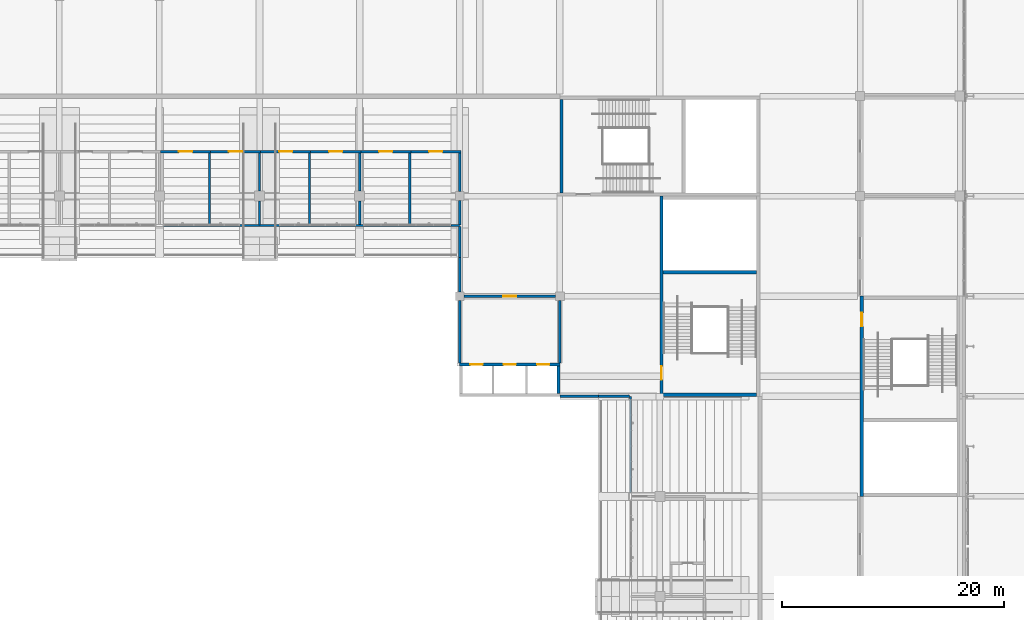
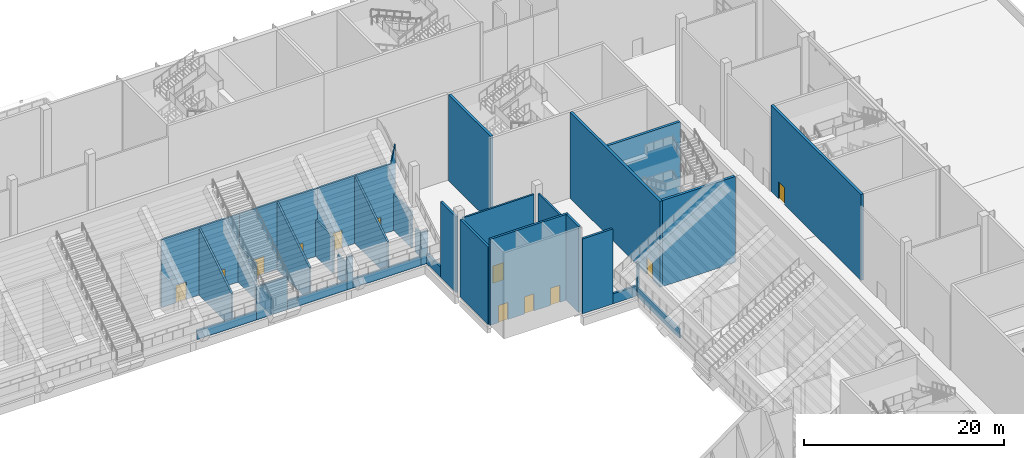
# One storey, part 90 of 182: 37 walls, 12 doors, 12 openings.
"""IFC4 building model written with IfcOpenShell, lengths in metres."""

from ifc_helpers import new_model, si_unit, direction, frame, frame_2d, origin, place, context, subcontext, project, spatial, polyline, rectangle, outline, extrude, material, layer, layer_set, type_object, element, fill, save


model = new_model("IFC4")

# Units and contexts
model_context = context("Model", 3, precision=1e-05, world=origin(), true_north=direction((0.0, 1.0)))
body_context = subcontext(model_context, "Body", "Model", "MODEL_VIEW")
ifc_project = project(units=[si_unit("LENGTHUNIT", "METRE"), si_unit("AREAUNIT", "SQUARE_METRE"), si_unit("VOLUMEUNIT", "CUBIC_METRE"), si_unit("PLANEANGLEUNIT", "RADIAN"), si_unit("MASSUNIT", "GRAM", prefix="KILO")], contexts=[model_context])

# Site, building, storey
site_placement = place(None, origin())
site = spatial("IfcSite", under=ifc_project, at=site_placement, CompositionType="ELEMENT")
building_placement = place(site_placement, origin())
building = spatial("IfcBuilding", under=site, at=building_placement, Name="Silverbay Arena", CompositionType="ELEMENT")
storey_placement = place(building_placement, frame((0.0, 0.0, 11.5)))
storey = spatial("IfcBuildingStorey", under=building, at=storey_placement, Name="L02", CompositionType="ELEMENT", Elevation=11.5)

# Walls
ifc_material_1 = material(Name="Concrete Grade C45", Category="concrete")
ifc_layer_1 = layer(ifc_material_1, 0.25)
ifc_layer_set_1 = layer_set([ifc_layer_1], Name="Concrete Grade C45")
wall_type_1 = type_object("IfcWallType", Name="Bowl enclosure wall RC 250 EI 120", PredefinedType="SOLIDWALL", material=ifc_layer_set_1)
wall_1_placement = place(storey_placement, frame((162.0, 102.0, 0.0), z_axis=(0.0, 0.0, 1.0), x_axis=(0.0, 1.0, 0.0)))
element("IfcWall", 1, at=wall_1_placement, inside=storey, type_object=wall_type_1, Name="Bowl enclosure wall, corner block NE-x", PredefinedType="SOLIDWALL", context=body_context, shape_type="SweptSolid", body=[
    extrude(rectangle(XDim=5.60009765625, YDim=0.25, at=frame_2d((2.800048828125, 0.0))), origin(), (0.0, 0.0, 1.0), 9.449951171875),
])
wall_2_placement = place(storey_placement, frame((162.0, 108.39990234375, 0.0), z_axis=(0.0, 0.0, 1.0), x_axis=(0.0, 1.0, 0.0)))
element("IfcWall", 2, at=wall_2_placement, inside=storey, type_object=wall_type_1, Name="Bowl enclosure wall, corner block NE-x", PredefinedType="SOLIDWALL", context=body_context, shape_type="SweptSolid", body=[
    extrude(rectangle(XDim=3.10009765625, YDim=0.25, at=frame_2d((1.550048828125, 0.0))), origin(), (0.0, 0.0, 1.0), 9.25),
])
wall_3_placement = place(storey_placement, frame((171.0, 99.0, 0.0), z_axis=(0.0, 0.0, 1.0), x_axis=(1.0, 0.0, 0.0)))
element("IfcWall", 3, at=wall_3_placement, inside=storey, type_object=wall_type_1, Name="Bowl enclosure wall, corner block NE-y", PredefinedType="SOLIDWALL", context=body_context, shape_type="SweptSolid", body=[
    extrude(rectangle(XDim=3.5, YDim=0.25, at=frame_2d((1.75, 0.0))), origin(), (0.0, 0.0, 1.0), 9.14990234375),
])
for number, where, z_axis, x_axis, name in (
    (4, (162.0, 111.5, 0.0), (0.0, 0.0, 1.0), (0.0, 1.0, 0.0), "Bowl enclosure wall, corner block NE-x"),
    (5, (174.5, 99.0, 0.0), (0.0, 0.0, 1.0), (1.0, 0.0, 0.0), "Bowl enclosure wall, corner block NE-y"),
):
    element("IfcWall", number, at=place(storey_placement, frame(where, z_axis=z_axis, x_axis=x_axis)), inside=storey, type_object=wall_type_1, Name=name, PredefinedType="SOLIDWALL", context=body_context, shape_type="SweptSolid", body=[
        extrude(rectangle(XDim=2.75, YDim=0.25, at=frame_2d((1.375, 0.0))), origin(), (0.0, 0.0, 1.0), 1.217041015625),
    ])

# Wall, opening, door
ifc_material_2 = material(Name="Concrete Grade C45", Category="concrete")
ifc_layer_2 = layer(ifc_material_2, 0.300048828125)
ifc_layer_set_2 = layer_set([ifc_layer_2], Name="Concrete Grade C45")
wall_type_2 = type_object("IfcWallType", Name="Core wall RC 300 EI 120", PredefinedType="SHEAR", material=ifc_layer_set_2)
wall_4_placement = place(storey_placement, frame((198.14990234375, 108.0, 0.0), z_axis=(0.0, 0.0, 1.0), x_axis=(0.0, -1.0, 0.0)))
wall_4 = element("IfcWall", 6, at=wall_4_placement, inside=storey, type_object=wall_type_2, Name="Core wall ST-E2 L02 door side", PredefinedType="SHEAR", context=body_context, shape_type="SweptSolid", body=[
    extrude(rectangle(XDim=18.0, YDim=0.300048828125, at=frame_2d((9.0, 0.0))), origin(), (0.0, 0.0, 1.0), 10.5),
])
opening_1_placement = place(wall_4_placement, frame((1.5, 0.0, 0.0)))
opening_1 = element("IfcOpeningElement", 7, at=opening_1_placement, cuts=wall_4, Name="Opening L02-090", PredefinedType="OPENING", context=body_context, shape_type="SweptSolid", body=[
    extrude(rectangle(XDim=1.199951171875, YDim=2.10009765625, at=frame_2d((0.60009765625, 1.050048828125))), frame((0.0, 0.16015625, 0.0), z_axis=(0.0, -1.0, 0.0), x_axis=(1.0, 0.0, 0.0)), (0.0, 0.0, 1.0), 0.320068359375),
])
ifc_material_3 = material(Name="Steel fire door", Category="steel")
door_type_1 = type_object("IfcDoorType", Name="Stair door 1200 x 2100 fire door", OperationType="SINGLE_SWING_LEFT", PredefinedType="DOOR", material=ifc_material_3)
door_1_placement = place(opening_1_placement, origin())
door_1 = element("IfcDoor", 8, at=door_1_placement, inside=storey, type_object=door_type_1, Name="Stair door ST-E2 L02", OperationType="SINGLE_SWING_LEFT", OverallHeight=2.10009765625, OverallWidth=1.199951171875, PredefinedType="DOOR", context=body_context, shape_type="SweptSolid", body=[
    extrude(rectangle(XDim=1.199951171875, YDim=2.10009765625, at=frame_2d((0.60009765625, 1.050048828125))), frame((0.0, 0.02490234375, 0.0), z_axis=(0.0, -1.0, 0.0), x_axis=(1.0, 0.0, 0.0)), (0.0, 0.0, 1.0), 0.050048828125),
])
fill(opening_1, door_1)

# Wall
wall_5_placement = place(storey_placement, frame((171.14990234375, 117.300048828125, 0.0), z_axis=(0.0, 0.0, 1.0), x_axis=(0.0, 1.0, 0.0)))
element("IfcWall", 9, at=wall_5_placement, inside=storey, type_object=wall_type_2, Name="Core wall ST-NE1 L02 end 1", PredefinedType="SHEAR", context=body_context, shape_type="SweptSolid", body=[
    extrude(rectangle(XDim=8.39990234375, YDim=0.300048828125, at=frame_2d((4.199951171875, 0.0))), origin(), (0.0, 0.0, 1.0), 10.5),
])

# Wall, opening, door
wall_6_placement = place(storey_placement, frame((180.14990234375, 99.0, 0.0), z_axis=(0.0, 0.0, 1.0), x_axis=(0.0, 1.0, 0.0)))
wall_6 = element("IfcWall", 10, at=wall_6_placement, inside=storey, type_object=wall_type_2, Name="Core wall ST-NE2 L02 door side", PredefinedType="SHEAR", context=body_context, shape_type="SweptSolid", body=[
    extrude(rectangle(XDim=18.0, YDim=0.300048828125, at=frame_2d((9.0, 0.0))), origin(), (0.0, 0.0, 1.0), 10.5),
])
opening_2_placement = place(wall_6_placement, frame((1.5, 0.0, 0.0)))
opening_2 = element("IfcOpeningElement", 11, at=opening_2_placement, cuts=wall_6, Name="Opening L02-098", PredefinedType="OPENING", context=body_context, shape_type="SweptSolid", body=[
    extrude(rectangle(XDim=1.199951171875, YDim=2.10009765625, at=frame_2d((0.60009765625, 1.050048828125))), frame((0.0, 0.16015625, 0.0), z_axis=(0.0, -1.0, 0.0), x_axis=(1.0, 0.0, 0.0)), (0.0, 0.0, 1.0), 0.320068359375),
])
door_2_placement = place(opening_2_placement, frame((1.199951171875, 0.0, 0.0), z_axis=(0.0, 0.0, 1.0), x_axis=(-1.0, 0.0, 0.0)))
door_2 = element("IfcDoor", 12, at=door_2_placement, inside=storey, type_object=door_type_1, Name="Stair door ST-NE2 L02", OperationType="SINGLE_SWING_RIGHT", OverallHeight=2.10009765625, OverallWidth=1.199951171875, PredefinedType="DOOR", context=body_context, shape_type="SweptSolid", body=[
    extrude(rectangle(XDim=1.199951171875, YDim=2.10009765625, at=frame_2d((0.60009765625, 1.050048828125))), frame((0.0, 0.02490234375, 0.0), z_axis=(0.0, -1.0, 0.0), x_axis=(1.0, 0.0, 0.0)), (0.0, 0.0, 1.0), 0.050048828125),
])
fill(opening_2, door_2)

# Walls
for number, where, z_axis, x_axis, name in (
    (13, (180.300048828125, 99.14990234375, 0.0), (0.0, 0.0, 1.0), (1.0, 0.0, 0.0), "Core wall ST-NE2 L02 end 1"),
    (14, (180.300048828125, 110.14990234375, 0.0), (0.0, 0.0, 1.0), (1.0, 0.0, 0.0), "Core wall ST-NE2 L02 stair enclosure"),
):
    element("IfcWall", number, at=place(storey_placement, frame(where, z_axis=z_axis, x_axis=x_axis)), inside=storey, type_object=wall_type_2, Name=name, PredefinedType="SHEAR", context=body_context, shape_type="SweptSolid", body=[
        extrude(rectangle(XDim=8.39990234375, YDim=0.300048828125, at=frame_2d((4.199951171875, 0.0))), origin(), (0.0, 0.0, 1.0), 10.5),
    ])

# Wall, openings, doors
ifc_material_4 = material(Name="Concrete Grade C45", Category="concrete")
ifc_layer_3 = layer(ifc_material_4, 0.25)
ifc_layer_set_3 = layer_set([ifc_layer_3], Name="Concrete Grade C45")
wall_type_3 = type_object("IfcWallType", Name="Lift shaft wall RC 250 EI 120", PredefinedType="SHEAR", material=ifc_layer_set_3)
wall_7_placement = place(storey_placement, frame((162.0, 101.875, 0.0), z_axis=(0.0, 0.0, 1.0), x_axis=(1.0, 0.0, 0.0)))
wall_7 = element("IfcWall", 15, at=wall_7_placement, inside=storey, type_object=wall_type_3, Name="Lift shaft wall LB-NE L02 landing side", PredefinedType="SHEAR", context=body_context, shape_type="SweptSolid", body=[
    extrude(rectangle(XDim=9.0, YDim=0.25, at=frame_2d((4.5, 0.0))), origin(), (0.0, 0.0, 1.0), 10.5),
])
opening_3_placement = place(wall_7_placement, frame((0.949951171875, 0.0, 0.0)))
opening_3 = element("IfcOpeningElement", 16, at=opening_3_placement, cuts=wall_7, Name="Opening L02-108", PredefinedType="OPENING", context=body_context, shape_type="SweptSolid", body=[
    extrude(rectangle(XDim=1.10009765625, YDim=2.10009765625, at=frame_2d((0.550048828125, 1.050048828125))), frame((0.0, 0.135009765625, 0.0), z_axis=(0.0, -1.0, 0.0), x_axis=(1.0, 0.0, 0.0)), (0.0, 0.0, 1.0), 0.27001953125),
])
opening_4_placement = place(wall_7_placement, frame((3.949951171875, 0.0, 0.0)))
opening_4 = element("IfcOpeningElement", 17, at=opening_4_placement, cuts=wall_7, Name="Opening L02-109", PredefinedType="OPENING", context=body_context, shape_type="SweptSolid", body=[
    extrude(rectangle(XDim=1.10009765625, YDim=2.10009765625, at=frame_2d((0.550048828125, 1.050048828125))), frame((0.0, 0.135009765625, 0.0), z_axis=(0.0, -1.0, 0.0), x_axis=(1.0, 0.0, 0.0)), (0.0, 0.0, 1.0), 0.27001953125),
])
opening_5_placement = place(wall_7_placement, frame((6.949951171875, 0.0, 0.0)))
opening_5 = element("IfcOpeningElement", 18, at=opening_5_placement, cuts=wall_7, Name="Opening L02-110", PredefinedType="OPENING", context=body_context, shape_type="SweptSolid", body=[
    extrude(rectangle(XDim=1.10009765625, YDim=2.10009765625, at=frame_2d((0.550048828125, 1.050048828125))), frame((0.0, 0.135009765625, 0.0), z_axis=(0.0, -1.0, 0.0), x_axis=(1.0, 0.0, 0.0)), (0.0, 0.0, 1.0), 0.27001953125),
])
ifc_material_5 = material(Name="Stainless steel", Category="steel")
door_type_2 = type_object("IfcDoorType", Name="LD1 lift landing door 1100 x 2100", OperationType="DOUBLE_DOOR_SLIDING", PredefinedType="DOOR", material=ifc_material_5)
door_3_placement = place(opening_3_placement, origin())
door_3 = element("IfcDoor", 19, at=door_3_placement, inside=storey, type_object=door_type_2, Name="Lift landing door LF12 L02", OperationType="DOUBLE_DOOR_SLIDING", OverallHeight=2.10009765625, OverallWidth=1.10009765625, PredefinedType="DOOR", context=body_context, shape_type="SweptSolid", body=[
    extrude(rectangle(XDim=1.10009765625, YDim=2.10009765625, at=frame_2d((0.550048828125, 1.050048828125))), frame((0.0, 0.02490234375, 0.0), z_axis=(0.0, -1.0, 0.0), x_axis=(1.0, 0.0, 0.0)), (0.0, 0.0, 1.0), 0.050048828125),
])
fill(opening_3, door_3)
door_4_placement = place(opening_4_placement, origin())
door_4 = element("IfcDoor", 20, at=door_4_placement, inside=storey, type_object=door_type_2, Name="Lift landing door LF13 L02", OperationType="DOUBLE_DOOR_SLIDING", OverallHeight=2.10009765625, OverallWidth=1.10009765625, PredefinedType="DOOR", context=body_context, shape_type="SweptSolid", body=[
    extrude(rectangle(XDim=1.10009765625, YDim=2.10009765625, at=frame_2d((0.550048828125, 1.050048828125))), frame((0.0, 0.02490234375, 0.0), z_axis=(0.0, -1.0, 0.0), x_axis=(1.0, 0.0, 0.0)), (0.0, 0.0, 1.0), 0.050048828125),
])
fill(opening_4, door_4)
door_5_placement = place(opening_5_placement, origin())
door_5 = element("IfcDoor", 21, at=door_5_placement, inside=storey, type_object=door_type_2, Name="Lift landing door LF14 L02", OperationType="DOUBLE_DOOR_SLIDING", OverallHeight=2.10009765625, OverallWidth=1.10009765625, PredefinedType="DOOR", context=body_context, shape_type="SweptSolid", body=[
    extrude(rectangle(XDim=1.10009765625, YDim=2.10009765625, at=frame_2d((0.550048828125, 1.050048828125))), frame((0.0, 0.02490234375, 0.0), z_axis=(0.0, -1.0, 0.0), x_axis=(1.0, 0.0, 0.0)), (0.0, 0.0, 1.0), 0.050048828125),
])
fill(opening_5, door_5)

# Wall
wall_8_placement = place(storey_placement, frame((170.875, 99.25, 0.0), z_axis=(0.0, 0.0, 1.0), x_axis=(0.0, 1.0, 0.0)))
element("IfcWall", 22, at=wall_8_placement, inside=storey, type_object=wall_type_3, Name="Lift shaft wall LB-NE L02 end", PredefinedType="SHEAR", context=body_context, shape_type="SweptSolid", body=[
    extrude(rectangle(XDim=2.5, YDim=0.25, at=frame_2d((1.25, 0.0))), origin(), (0.0, 0.0, 1.0), 10.5),
])

# Wall, opening, door
ifc_material_6 = material(Name="Masonry blockwork partition", Category="masonry")
ifc_layer_4 = layer(ifc_material_6, 0.199951171875)
ifc_layer_set_4 = layer_set([ifc_layer_4], Name="Masonry blockwork partition")
wall_type_4 = type_object("IfcWallType", Name="Partition 200 EI 120", PredefinedType="PARTITIONING", material=ifc_layer_set_4)
wall_9_placement = place(storey_placement, frame((162.39990234375, 108.0, 0.0), z_axis=(0.0, 0.0, 1.0), x_axis=(1.0, 0.0, 0.0)))
wall_9 = element("IfcWall", 23, at=wall_9_placement, inside=storey, type_object=wall_type_4, Name="Partition wall", PredefinedType="PARTITIONING", context=body_context, shape_type="SweptSolid", body=[
    extrude(rectangle(XDim=8.2001953125, YDim=0.199951171875, at=frame_2d((4.10009765625, 0.0))), origin(), (0.0, 0.0, 1.0), 9.25),
])
opening_6_placement = place(wall_9_placement, frame((3.5, 0.0, 0.0)))
opening_6 = element("IfcOpeningElement", 24, at=opening_6_placement, cuts=wall_9, Name="Opening L02-022", PredefinedType="OPENING", context=body_context, shape_type="SweptSolid", body=[
    extrude(rectangle(XDim=1.199951171875, YDim=2.10009765625, at=frame_2d((0.60009765625, 1.050048828125))), frame((0.0, 0.10986328125, 0.0), z_axis=(0.0, -1.0, 0.0), x_axis=(1.0, 0.0, 0.0)), (0.0, 0.0, 1.0), 0.219970703125),
])
ifc_material_7 = material(Name="Steel faced timber", Category="steel")
door_type_3 = type_object("IfcDoorType", Name="Single leaf door 1200 x 2100 FD60", OperationType="SINGLE_SWING_LEFT", PredefinedType="DOOR", material=ifc_material_7)
door_6_placement = place(opening_6_placement, origin())
door_6 = element("IfcDoor", 25, at=door_6_placement, inside=storey, type_object=door_type_3, Name="Door L02-022", OperationType="SINGLE_SWING_RIGHT", OverallHeight=2.10009765625, OverallWidth=1.199951171875, PredefinedType="DOOR", context=body_context, shape_type="SweptSolid", body=[
    extrude(rectangle(XDim=1.199951171875, YDim=2.10009765625, at=frame_2d((0.60009765625, 1.050048828125))), frame((0.0, 0.02490234375, 0.0), z_axis=(0.0, -1.0, 0.0), x_axis=(1.0, 0.0, 0.0)), (0.0, 0.0, 1.0), 0.050048828125),
])
fill(opening_6, door_6)

wall_10_placement = place(storey_placement, frame((135.10009765625, 121.0, 0.0), z_axis=(0.0, 0.0, 1.0), x_axis=(1.0, 0.0, 0.0)))
wall_10 = element("IfcWall", 26, at=wall_10_placement, inside=storey, type_object=wall_type_4, Name="Partition wall", PredefinedType="PARTITIONING", context=body_context, shape_type="SweptSolid", body=[
    extrude(rectangle(XDim=4.5, YDim=0.199951171875, at=frame_2d((2.25, 0.0))), origin(), (0.0, 0.0, 1.0), 8.257568359375),
])
opening_7_placement = place(wall_10_placement, frame((1.64990234375, 0.0, 0.0)))
opening_7 = element("IfcOpeningElement", 27, at=opening_7_placement, cuts=wall_10, Name="Opening L02-047", PredefinedType="OPENING", context=body_context, shape_type="SweptSolid", body=[
    extrude(rectangle(XDim=1.199951171875, YDim=2.10009765625, at=frame_2d((0.60009765625, 1.050048828125))), frame((0.0, 0.10986328125, 0.0), z_axis=(0.0, -1.0, 0.0), x_axis=(1.0, 0.0, 0.0)), (0.0, 0.0, 1.0), 0.219970703125),
])
ifc_material_8 = material(Name="Steel faced timber", Category="steel")
door_type_4 = type_object("IfcDoorType", Name="Single leaf door 1200 x 2100 FD120", OperationType="SINGLE_SWING_LEFT", PredefinedType="DOOR", material=ifc_material_8)
door_7_placement = place(opening_7_placement, frame((1.199951171875, 0.0, 0.0), z_axis=(0.0, 0.0, 1.0), x_axis=(-1.0, 0.0, 0.0)))
door_7 = element("IfcDoor", 28, at=door_7_placement, inside=storey, type_object=door_type_4, Name="Door L02-047", OperationType="SINGLE_SWING_RIGHT", OverallHeight=2.10009765625, OverallWidth=1.199951171875, PredefinedType="DOOR", context=body_context, shape_type="SweptSolid", body=[
    extrude(rectangle(XDim=1.199951171875, YDim=2.10009765625, at=frame_2d((0.60009765625, 1.050048828125))), frame((0.0, 0.02490234375, 0.0), z_axis=(0.0, -1.0, 0.0), x_axis=(1.0, 0.0, 0.0)), (0.0, 0.0, 1.0), 0.050048828125),
])
fill(opening_7, door_7)

wall_11_placement = place(storey_placement, frame((139.60009765625, 121.0, 0.0), z_axis=(0.0, 0.0, 1.0), x_axis=(1.0, 0.0, 0.0)))
wall_11 = element("IfcWall", 29, at=wall_11_placement, inside=storey, type_object=wall_type_4, Name="Partition wall", PredefinedType="PARTITIONING", context=body_context, shape_type="SweptSolid", body=[
    extrude(rectangle(XDim=4.5, YDim=0.199951171875, at=frame_2d((2.25, 0.0))), origin(), (0.0, 0.0, 1.0), 8.257568359375),
])
opening_8_placement = place(wall_11_placement, frame((1.64990234375, 0.0, 0.0)))
opening_8 = element("IfcOpeningElement", 30, at=opening_8_placement, cuts=wall_11, Name="Opening L02-048", PredefinedType="OPENING", context=body_context, shape_type="SweptSolid", body=[
    extrude(rectangle(XDim=1.199951171875, YDim=2.10009765625, at=frame_2d((0.60009765625, 1.050048828125))), frame((0.0, 0.10986328125, 0.0), z_axis=(0.0, -1.0, 0.0), x_axis=(1.0, 0.0, 0.0)), (0.0, 0.0, 1.0), 0.219970703125),
])
door_8_placement = place(opening_8_placement, frame((1.199951171875, 0.0, 0.0), z_axis=(0.0, 0.0, 1.0), x_axis=(-1.0, 0.0, 0.0)))
door_8 = element("IfcDoor", 31, at=door_8_placement, inside=storey, type_object=door_type_4, Name="Door L02-048", OperationType="SINGLE_SWING_LEFT", OverallHeight=2.10009765625, OverallWidth=1.199951171875, PredefinedType="DOOR", context=body_context, shape_type="SweptSolid", body=[
    extrude(rectangle(XDim=1.199951171875, YDim=2.10009765625, at=frame_2d((0.60009765625, 1.050048828125))), frame((0.0, 0.02490234375, 0.0), z_axis=(0.0, -1.0, 0.0), x_axis=(1.0, 0.0, 0.0)), (0.0, 0.0, 1.0), 0.050048828125),
])
fill(opening_8, door_8)

wall_12_placement = place(storey_placement, frame((144.10009765625, 121.0, 0.0), z_axis=(0.0, 0.0, 1.0), x_axis=(1.0, 0.0, 0.0)))
wall_12 = element("IfcWall", 32, at=wall_12_placement, inside=storey, type_object=wall_type_4, Name="Partition wall", PredefinedType="PARTITIONING", context=body_context, shape_type="SweptSolid", body=[
    extrude(rectangle(XDim=4.5, YDim=0.199951171875, at=frame_2d((2.25, 0.0))), origin(), (0.0, 0.0, 1.0), 8.257568359375),
])
opening_9_placement = place(wall_12_placement, frame((1.64990234375, 0.0, 0.0)))
opening_9 = element("IfcOpeningElement", 33, at=opening_9_placement, cuts=wall_12, Name="Opening L02-049", PredefinedType="OPENING", context=body_context, shape_type="SweptSolid", body=[
    extrude(rectangle(XDim=1.199951171875, YDim=2.10009765625, at=frame_2d((0.60009765625, 1.050048828125))), frame((0.0, 0.10986328125, 0.0), z_axis=(0.0, -1.0, 0.0), x_axis=(1.0, 0.0, 0.0)), (0.0, 0.0, 1.0), 0.219970703125),
])
door_9_placement = place(opening_9_placement, frame((1.199951171875, 0.0, 0.0), z_axis=(0.0, 0.0, 1.0), x_axis=(-1.0, 0.0, 0.0)))
door_9 = element("IfcDoor", 34, at=door_9_placement, inside=storey, type_object=door_type_4, Name="Door L02-049", OperationType="SINGLE_SWING_RIGHT", OverallHeight=2.10009765625, OverallWidth=1.199951171875, PredefinedType="DOOR", context=body_context, shape_type="SweptSolid", body=[
    extrude(rectangle(XDim=1.199951171875, YDim=2.10009765625, at=frame_2d((0.60009765625, 1.050048828125))), frame((0.0, 0.02490234375, 0.0), z_axis=(0.0, -1.0, 0.0), x_axis=(1.0, 0.0, 0.0)), (0.0, 0.0, 1.0), 0.050048828125),
])
fill(opening_9, door_9)

wall_13_placement = place(storey_placement, frame((148.60009765625, 121.0, 0.0), z_axis=(0.0, 0.0, 1.0), x_axis=(1.0, 0.0, 0.0)))
wall_13 = element("IfcWall", 35, at=wall_13_placement, inside=storey, type_object=wall_type_4, Name="Partition wall", PredefinedType="PARTITIONING", context=body_context, shape_type="SweptSolid", body=[
    extrude(rectangle(XDim=4.5, YDim=0.199951171875, at=frame_2d((2.25, 0.0))), origin(), (0.0, 0.0, 1.0), 8.257568359375),
])
opening_10_placement = place(wall_13_placement, frame((1.64990234375, 0.0, 0.0)))
opening_10 = element("IfcOpeningElement", 36, at=opening_10_placement, cuts=wall_13, Name="Opening L02-050", PredefinedType="OPENING", context=body_context, shape_type="SweptSolid", body=[
    extrude(rectangle(XDim=1.199951171875, YDim=2.10009765625, at=frame_2d((0.60009765625, 1.050048828125))), frame((0.0, 0.10986328125, 0.0), z_axis=(0.0, -1.0, 0.0), x_axis=(1.0, 0.0, 0.0)), (0.0, 0.0, 1.0), 0.219970703125),
])
door_10_placement = place(opening_10_placement, frame((1.199951171875, 0.0, 0.0), z_axis=(0.0, 0.0, 1.0), x_axis=(-1.0, 0.0, 0.0)))
door_10 = element("IfcDoor", 37, at=door_10_placement, inside=storey, type_object=door_type_4, Name="Door L02-050", OperationType="SINGLE_SWING_LEFT", OverallHeight=2.10009765625, OverallWidth=1.199951171875, PredefinedType="DOOR", context=body_context, shape_type="SweptSolid", body=[
    extrude(rectangle(XDim=1.199951171875, YDim=2.10009765625, at=frame_2d((0.60009765625, 1.050048828125))), frame((0.0, 0.02490234375, 0.0), z_axis=(0.0, -1.0, 0.0), x_axis=(1.0, 0.0, 0.0)), (0.0, 0.0, 1.0), 0.050048828125),
])
fill(opening_10, door_10)

wall_14_placement = place(storey_placement, frame((153.10009765625, 121.0, 0.0), z_axis=(0.0, 0.0, 1.0), x_axis=(1.0, 0.0, 0.0)))
wall_14 = element("IfcWall", 38, at=wall_14_placement, inside=storey, type_object=wall_type_4, Name="Partition wall", PredefinedType="PARTITIONING", context=body_context, shape_type="SweptSolid", body=[
    extrude(rectangle(XDim=4.5, YDim=0.199951171875, at=frame_2d((2.25, 0.0))), origin(), (0.0, 0.0, 1.0), 8.257568359375),
])
opening_11_placement = place(wall_14_placement, frame((1.64990234375, 0.0, 0.0)))
opening_11 = element("IfcOpeningElement", 39, at=opening_11_placement, cuts=wall_14, Name="Opening L02-051", PredefinedType="OPENING", context=body_context, shape_type="SweptSolid", body=[
    extrude(rectangle(XDim=1.199951171875, YDim=2.10009765625, at=frame_2d((0.60009765625, 1.050048828125))), frame((0.0, 0.10986328125, 0.0), z_axis=(0.0, -1.0, 0.0), x_axis=(1.0, 0.0, 0.0)), (0.0, 0.0, 1.0), 0.219970703125),
])
door_11_placement = place(opening_11_placement, frame((1.199951171875, 0.0, 0.0), z_axis=(0.0, 0.0, 1.0), x_axis=(-1.0, 0.0, 0.0)))
door_11 = element("IfcDoor", 40, at=door_11_placement, inside=storey, type_object=door_type_4, Name="Door L02-051", OperationType="SINGLE_SWING_RIGHT", OverallHeight=2.10009765625, OverallWidth=1.199951171875, PredefinedType="DOOR", context=body_context, shape_type="SweptSolid", body=[
    extrude(rectangle(XDim=1.199951171875, YDim=2.10009765625, at=frame_2d((0.60009765625, 1.050048828125))), frame((0.0, 0.02490234375, 0.0), z_axis=(0.0, -1.0, 0.0), x_axis=(1.0, 0.0, 0.0)), (0.0, 0.0, 1.0), 0.050048828125),
])
fill(opening_11, door_11)

wall_15_placement = place(storey_placement, frame((157.60009765625, 121.0, 0.0), z_axis=(0.0, 0.0, 1.0), x_axis=(1.0, 0.0, 0.0)))
wall_15 = element("IfcWall", 41, at=wall_15_placement, inside=storey, type_object=wall_type_4, Name="Partition wall", PredefinedType="PARTITIONING", context=body_context, shape_type="SweptSolid", body=[
    extrude(outline(polyline([(0.0, 0.0), (4.5, 0.0), (4.5, 10.5), (4.0, 8.257568359375), (0.0, 8.257568359375), (0.0, 0.0)])), frame((0.0, 0.10009765625, 0.0), z_axis=(0.0, -1.0, 0.0), x_axis=(1.0, 0.0, 0.0)), (0.0, 0.0, 1.0), 0.199951171875),
])
opening_12_placement = place(wall_15_placement, frame((1.64990234375, 0.0, 0.0)))
opening_12 = element("IfcOpeningElement", 42, at=opening_12_placement, cuts=wall_15, Name="Opening L02-052", PredefinedType="OPENING", context=body_context, shape_type="SweptSolid", body=[
    extrude(rectangle(XDim=1.199951171875, YDim=2.10009765625, at=frame_2d((0.60009765625, 1.050048828125))), frame((0.0, 0.10986328125, 0.0), z_axis=(0.0, -1.0, 0.0), x_axis=(1.0, 0.0, 0.0)), (0.0, 0.0, 1.0), 0.219970703125),
])
door_12_placement = place(opening_12_placement, frame((1.199951171875, 0.0, 0.0), z_axis=(0.0, 0.0, 1.0), x_axis=(-1.0, 0.0, 0.0)))
door_12 = element("IfcDoor", 43, at=door_12_placement, inside=storey, type_object=door_type_4, Name="Door L02-052", OperationType="SINGLE_SWING_LEFT", OverallHeight=2.10009765625, OverallWidth=1.199951171875, PredefinedType="DOOR", context=body_context, shape_type="SweptSolid", body=[
    extrude(rectangle(XDim=1.199951171875, YDim=2.10009765625, at=frame_2d((0.60009765625, 1.050048828125))), frame((0.0, 0.02490234375, 0.0), z_axis=(0.0, -1.0, 0.0), x_axis=(1.0, 0.0, 0.0)), (0.0, 0.0, 1.0), 0.050048828125),
])
fill(opening_12, door_12)

# Walls
wall_16_placement = place(storey_placement, frame((162.0, 114.39990234375, 0.0), z_axis=(0.0, 0.0, 1.0), x_axis=(0.0, 1.0, 0.0)))
element("IfcWall", 44, at=wall_16_placement, inside=storey, type_object=wall_type_4, Name="Partition wall", PredefinedType="PARTITIONING", context=body_context, shape_type="SweptSolid", body=[
    extrude(rectangle(XDim=2.2001953125, YDim=0.199951171875, at=frame_2d((1.10009765625, 0.0))), origin(), (0.0, 0.0, 1.0), 2.876953125),
])
wall_17_placement = place(storey_placement, frame((162.0, 117.39990234375, 0.0), z_axis=(0.0, 0.0, 1.0), x_axis=(0.0, 1.0, 0.0)))
element("IfcWall", 45, at=wall_17_placement, inside=storey, type_object=wall_type_4, Name="Partition wall", PredefinedType="PARTITIONING", context=body_context, shape_type="SweptSolid", body=[
    extrude(rectangle(XDim=3.5, YDim=0.199951171875, at=frame_2d((1.75, 0.0))), origin(), (0.0, 0.0, 1.0), 4.43896484375),
])
wall_18_placement = place(storey_placement, frame((171.0, 102.0, 0.0), z_axis=(0.0, 0.0, 1.0), x_axis=(0.0, 1.0, 0.0)))
element("IfcWall", 46, at=wall_18_placement, inside=storey, type_object=wall_type_4, Name="Partition wall", PredefinedType="PARTITIONING", context=body_context, shape_type="SweptSolid", body=[
    extrude(rectangle(XDim=5.60009765625, YDim=0.199951171875, at=frame_2d((2.800048828125, 0.0))), origin(), (0.0, 0.0, 1.0), 9.449951171875),
])
ifc_material_9 = material(Name="Gypsum board partition on steel studs", Category="steel")
ifc_layer_5 = layer(ifc_material_9, 0.199951171875)
ifc_layer_set_5 = layer_set([ifc_layer_5], Name="Gypsum board partition on steel studs")
wall_type_5 = type_object("IfcWallType", Name="Partition 200 EI 60", PredefinedType="PARTITIONING", material=ifc_layer_set_5)
wall_19_placement = place(storey_placement, frame((139.5, 114.39990234375, 0.0), z_axis=(0.0, 0.0, 1.0), x_axis=(0.0, 1.0, 0.0)))
element("IfcWall", 47, at=wall_19_placement, inside=storey, type_object=wall_type_5, Name="Partition wall", PredefinedType="PARTITIONING", context=body_context, shape_type="SweptSolid", body=[
    extrude(outline(polyline([(0.0, 0.0), (6.5, 0.0), (6.5, 8.195068359375), (0.0, 4.132568359375), (0.0, 0.0)])), frame((0.0, 0.10009765625, 0.0), z_axis=(0.0, -1.0, 0.0), x_axis=(1.0, 0.0, 0.0)), (0.0, 0.0, 1.0), 0.199951171875),
])
wall_20_placement = place(storey_placement, frame((144.0, 114.39990234375, 0.0), z_axis=(0.0, 0.0, 1.0), x_axis=(0.0, 1.0, 0.0)))
element("IfcWall", 48, at=wall_20_placement, inside=storey, type_object=wall_type_5, Name="Partition wall", PredefinedType="PARTITIONING", context=body_context, shape_type="SweptSolid", body=[
    extrude(rectangle(XDim=2.150146484375, YDim=0.199951171875, at=frame_2d((1.0751953125, 0.0))), origin(), (0.0, 0.0, 1.0), 1.93896484375),
])
wall_21_placement = place(storey_placement, frame((144.0, 117.449951171875, 0.0), z_axis=(0.0, 0.0, 1.0), x_axis=(0.0, 1.0, 0.0)))
element("IfcWall", 49, at=wall_21_placement, inside=storey, type_object=wall_type_5, Name="Partition wall", PredefinedType="PARTITIONING", context=body_context, shape_type="SweptSolid", body=[
    extrude(rectangle(XDim=3.449951171875, YDim=0.199951171875, at=frame_2d((1.72509765625, 0.0))), origin(), (0.0, 0.0, 1.0), 4.43896484375),
])
wall_22_placement = place(storey_placement, frame((148.5, 114.39990234375, 0.0), z_axis=(0.0, 0.0, 1.0), x_axis=(0.0, 1.0, 0.0)))
element("IfcWall", 50, at=wall_22_placement, inside=storey, type_object=wall_type_5, Name="Partition wall", PredefinedType="PARTITIONING", context=body_context, shape_type="SweptSolid", body=[
    extrude(outline(polyline([(0.0, 0.0), (6.5, 0.0), (6.5, 8.195068359375), (0.0, 4.132568359375), (0.0, 0.0)])), frame((0.0, 0.10009765625, 0.0), z_axis=(0.0, -1.0, 0.0), x_axis=(1.0, 0.0, 0.0)), (0.0, 0.0, 1.0), 0.199951171875),
])
wall_23_placement = place(storey_placement, frame((153.0, 114.39990234375, 0.0), z_axis=(0.0, 0.0, 1.0), x_axis=(0.0, 1.0, 0.0)))
element("IfcWall", 51, at=wall_23_placement, inside=storey, type_object=wall_type_5, Name="Partition wall", PredefinedType="PARTITIONING", context=body_context, shape_type="SweptSolid", body=[
    extrude(outline(polyline([(0.0, 0.0), (2.150146484375, 0.0), (2.14990234375, 2.876953125), (0.071044921875, 2.876953125), (0.0, 2.83251953125), (0.0, 0.0)])), frame((0.0, 0.10009765625, 0.0), z_axis=(0.0, -1.0, 0.0), x_axis=(1.0, 0.0, 0.0)), (0.0, 0.0, 1.0), 0.199951171875),
])
wall_24_placement = place(storey_placement, frame((153.0, 117.449951171875, 0.0), z_axis=(0.0, 0.0, 1.0), x_axis=(0.0, 1.0, 0.0)))
element("IfcWall", 52, at=wall_24_placement, inside=storey, type_object=wall_type_5, Name="Partition wall", PredefinedType="PARTITIONING", context=body_context, shape_type="SweptSolid", body=[
    extrude(rectangle(XDim=3.449951171875, YDim=0.199951171875, at=frame_2d((1.72509765625, 0.0))), origin(), (0.0, 0.0, 1.0), 4.43896484375),
])
wall_25_placement = place(storey_placement, frame((157.5, 114.39990234375, 0.0), z_axis=(0.0, 0.0, 1.0), x_axis=(0.0, 1.0, 0.0)))
element("IfcWall", 53, at=wall_25_placement, inside=storey, type_object=wall_type_5, Name="Partition wall", PredefinedType="PARTITIONING", context=body_context, shape_type="SweptSolid", body=[
    extrude(outline(polyline([(0.0, 0.0), (6.5, 0.0), (6.5, 8.195068359375), (0.0, 4.132568359375), (0.0, 0.0)])), frame((0.0, 0.10009765625, 0.0), z_axis=(0.0, -1.0, 0.0), x_axis=(1.0, 0.0, 0.0)), (0.0, 0.0, 1.0), 0.199951171875),
])
ifc_material_10 = material(Name="Concrete Grade C45", Category="concrete")
ifc_layer_6 = layer(ifc_material_10, 0.199951171875)
ifc_layer_set_6 = layer_set([ifc_layer_6], Name="Concrete Grade C45")
wall_type_6 = type_object("IfcWallType", Name="Suite front pier wall 200 EI 120", PredefinedType="SOLIDWALL", material=ifc_layer_set_6)
wall_26_placement = place(storey_placement, frame((177.35009765625, 98.699951171875, 0.0), z_axis=(0.0, 0.0, 1.0), x_axis=(0.0, 1.0, 0.0)))
element("IfcWall", 54, at=wall_26_placement, inside=storey, type_object=wall_type_6, Name="East suite front pier 5", PredefinedType="SOLIDWALL", context=body_context, shape_type="SweptSolid", body=[
    extrude(rectangle(XDim=0.300048828125, YDim=0.199951171875, at=frame_2d((0.14990234375, 0.0))), origin(), (0.0, 0.0, 1.0), 4.033935546875),
])
wall_27_placement = place(storey_placement, frame((142.199951171875, 114.35009765625, 0.0), z_axis=(0.0, 0.0, 1.0), x_axis=(1.0, 0.0, 0.0)))
element("IfcWall", 55, at=wall_27_placement, inside=storey, type_object=wall_type_6, Name="North suite front pier 6", PredefinedType="SOLIDWALL", context=body_context, shape_type="SweptSolid", body=[
    extrude(rectangle(XDim=3.60009765625, YDim=0.199951171875, at=frame_2d((1.800048828125, 0.0))), origin(), (0.0, 0.0, 1.0), 4.033935546875),
])
wall_28_placement = place(storey_placement, frame((152.64990234375, 114.35009765625, 0.0), z_axis=(0.0, 0.0, 1.0), x_axis=(1.0, 0.0, 0.0)))
element("IfcWall", 56, at=wall_28_placement, inside=storey, type_object=wall_type_6, Name="North suite front pier 7", PredefinedType="SOLIDWALL", context=body_context, shape_type="SweptSolid", body=[
    extrude(rectangle(XDim=0.7001953125, YDim=0.199951171875, at=frame_2d((0.35009765625, 0.0))), origin(), (0.0, 0.0, 1.0), 4.033935546875),
])
wall_29_placement = place(storey_placement, frame((161.199951171875, 114.35009765625, 0.0), z_axis=(0.0, 0.0, 1.0), x_axis=(1.0, 0.0, 0.0)))
element("IfcWall", 57, at=wall_29_placement, inside=storey, type_object=wall_type_6, Name="North suite front pier 8", PredefinedType="SOLIDWALL", context=body_context, shape_type="SweptSolid", body=[
    extrude(rectangle(XDim=0.800048828125, YDim=0.199951171875, at=frame_2d((0.39990234375, 0.0))), origin(), (0.0, 0.0, 1.0), 4.033935546875),
])
ifc_material_11 = material(Name="Concrete Grade C45", Category="concrete")
ifc_layer_7 = layer(ifc_material_11, 0.199951171875)
ifc_layer_set_7 = layer_set([ifc_layer_7], Name="Concrete Grade C45")
wall_type_7 = type_object("IfcWallType", Name="Suite front spandrel wall 200 EI 120", PredefinedType="SOLIDWALL", material=ifc_layer_set_7)
wall_30_placement = place(storey_placement, frame((177.35009765625, 90.35009765625, 0.0), z_axis=(0.0, 0.0, 1.0), x_axis=(0.0, 1.0, 0.0)))
element("IfcWall", 58, at=wall_30_placement, inside=storey, type_object=wall_type_7, Name="East suite front spandrel 4", PredefinedType="SOLIDWALL", context=body_context, shape_type="SweptSolid", body=[
    extrude(rectangle(XDim=8.349853515625, YDim=0.199951171875, at=frame_2d((4.1748046875, 0.0))), origin(), (0.0, 0.0, 1.0), 1.10009765625),
])
for number, where, z_axis, x_axis, name in (
    (59, (135.35009765625, 114.35009765625, 0.0), (0.0, 0.0, 1.0), (1.0, 0.0, 0.0), "North suite front spandrel 5"),
    (60, (145.800048828125, 114.35009765625, 0.0), (0.0, 0.0, 1.0), (1.0, 0.0, 0.0), "North suite front spandrel 6"),
):
    element("IfcWall", number, at=place(storey_placement, frame(where, z_axis=z_axis, x_axis=x_axis)), inside=storey, type_object=wall_type_7, Name=name, PredefinedType="SOLIDWALL", context=body_context, shape_type="SweptSolid", body=[
        extrude(rectangle(XDim=6.849853515625, YDim=0.199951171875, at=frame_2d((3.4248046875, 0.0))), origin(), (0.0, 0.0, 1.0), 1.10009765625),
    ])
wall_31_placement = place(storey_placement, frame((153.35009765625, 114.35009765625, 0.0), z_axis=(0.0, 0.0, 1.0), x_axis=(1.0, 0.0, 0.0)))
element("IfcWall", 61, at=wall_31_placement, inside=storey, type_object=wall_type_7, Name="North suite front spandrel 7", PredefinedType="SOLIDWALL", context=body_context, shape_type="SweptSolid", body=[
    extrude(rectangle(XDim=7.849853515625, YDim=0.199951171875, at=frame_2d((3.9248046875, 0.0))), origin(), (0.0, 0.0, 1.0), 1.10009765625),
])

save(model, "model.ifc")
